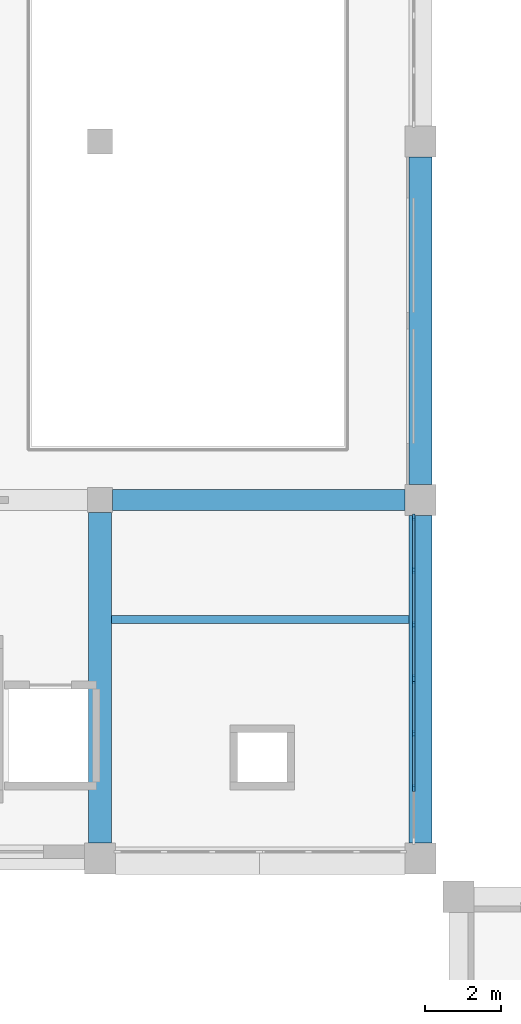
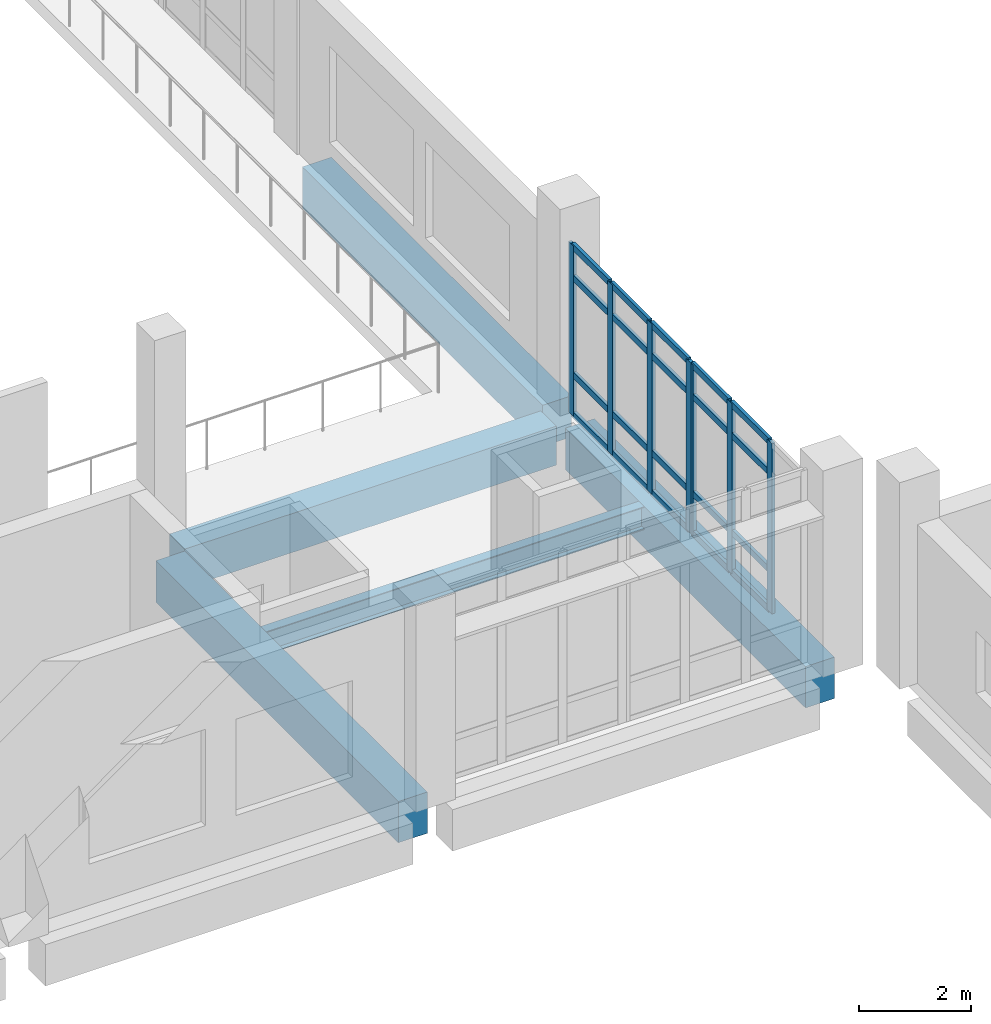
# One storey, part 15 of 54: 27 members, 5 beams, 2 elements without a shape of their own.
"""IFC4 building model written with IfcOpenShell, lengths in metres."""

from ifc_helpers import new_model, si_unit, direction, frame, origin, origin_2d, place, context, subcontext, project, spatial, rectangle, i_section, extrude, material, layer, layer_set, material_profile, profile_set, type_object, element, aggregate, save


model = new_model("IFC4")

# Units and contexts
model_context = context("Model", 3, precision=1e-05, world=origin(), true_north=direction((0.0, 1.0)))
body_context = subcontext(model_context, "Body", "Model", "MODEL_VIEW")
ifc_project = project(units=[si_unit("LENGTHUNIT", "METRE"), si_unit("AREAUNIT", "SQUARE_METRE"), si_unit("VOLUMEUNIT", "CUBIC_METRE"), si_unit("PLANEANGLEUNIT", "RADIAN"), si_unit("MASSUNIT", "GRAM", prefix="KILO")], contexts=[model_context])

# Site, building, storey
site_placement = place(None, origin())
site = spatial("IfcSite", under=ifc_project, at=site_placement, CompositionType="ELEMENT")
building_placement = place(site_placement, origin())
building = spatial("IfcBuilding", under=site, at=building_placement, Name="Kelarvand Opera House", CompositionType="ELEMENT")
storey_placement = place(building_placement, frame((0.0, 0.0, 15.0)))
storey = spatial("IfcBuildingStorey", under=building, at=storey_placement, Name="L03", CompositionType="ELEMENT", Elevation=15.0)

# Curtain wall, members
ifc_material_1 = material(Name="Thermally broken aluminium and low-E glazing", Category="aluminium")
ifc_layer = layer(ifc_material_1, 0.179931640625, Name="Thermally broken aluminium and low-E glazing", Category="aluminium")
ifc_layer_set = layer_set([ifc_layer], Name="Thermally broken aluminium and low-E glazing")
curtain_wall_type = type_object("IfcCurtainWallType", Name="Unitised Low-E Curtain Wall 4276x3717 Mod 1350 CWF-21", PredefinedType="USERDEFINED", material=ifc_layer_set)
curtain_wall_1_placement = place(storey_placement, origin())
curtain_wall_1 = element("IfcCurtainWall", 1, at=curtain_wall_1_placement, inside=storey, type_object=curtain_wall_type, Name="V3 L03 Curtain Wall CWF-21 (89)", ObjectType="UNITISED CURTAIN WALL", PredefinedType="USERDEFINED")
ifc_material_2 = material(Name="Thermally broken anodised aluminium", Category="aluminium")
ifc_material_profile_1 = material_profile(ifc_material_2, rectangle(XDim=0.06494140625, YDim=0.179931640625, at=origin_2d()), Name="ALU MULLION 65x180", Category="aluminium")
ifc_profile_set_1 = profile_set([ifc_material_profile_1], Name="Thermally broken anodised aluminium")
member_type_1 = type_object("IfcMemberType", Name="Curtain Wall Mullion 65x180 Aluminium", PredefinedType="MULLION", material=ifc_profile_set_1)
member_1_placement = place(storey_placement, frame((50.820068359375, 96.1474609375, 0.0), z_axis=(0.0, 0.0, 1.0), x_axis=(1.0, 0.0, 0.0)))
member_1 = element("IfcMember", 2, at=member_1_placement, type_object=member_type_1, Name="CWF-21 mullion 1", PredefinedType="MULLION", context=body_context, shape_type="SweptSolid", body=[
    extrude(rectangle(XDim=0.06494140625, YDim=0.179931640625, at=origin_2d()), origin(), (0.0, 0.0, 1.0), 3.71728515625),
])
member_2_placement = place(storey_placement, frame((50.820068359375, 94.754638671875, 0.0), z_axis=(0.0, 0.0, 1.0), x_axis=(1.0, 0.0, 0.0)))
member_2 = element("IfcMember", 3, at=member_2_placement, type_object=member_type_1, Name="CWF-21 mullion 2", PredefinedType="MULLION", context=body_context, shape_type="SweptSolid", body=[
    extrude(rectangle(XDim=0.06494140625, YDim=0.179931640625, at=origin_2d()), origin(), (0.0, 0.0, 1.0), 3.71728515625),
])
member_3_placement = place(storey_placement, frame((50.820068359375, 93.329345703125, 0.0), z_axis=(0.0, 0.0, 1.0), x_axis=(1.0, 0.0, 0.0)))
member_3 = element("IfcMember", 4, at=member_3_placement, type_object=member_type_1, Name="CWF-21 mullion 3", PredefinedType="MULLION", context=body_context, shape_type="SweptSolid", body=[
    extrude(rectangle(XDim=0.06494140625, YDim=0.179931640625, at=origin_2d()), origin(), (0.0, 0.0, 1.0), 3.71728515625),
])
member_4_placement = place(storey_placement, frame((50.820068359375, 91.9365234375, 0.0), z_axis=(0.0, 0.0, 1.0), x_axis=(1.0, 0.0, 0.0)))
member_4 = element("IfcMember", 5, at=member_4_placement, type_object=member_type_1, Name="CWF-21 mullion 4", PredefinedType="MULLION", context=body_context, shape_type="SweptSolid", body=[
    extrude(rectangle(XDim=0.06494140625, YDim=0.179931640625, at=origin_2d()), origin(), (0.0, 0.0, 1.0), 3.71728515625),
])

curtain_wall_2_placement = place(storey_placement, origin())
curtain_wall_2 = element("IfcCurtainWall", 6, at=curtain_wall_2_placement, inside=storey, type_object=curtain_wall_type, Name="V3 L03 Curtain Wall CWF-21 (90)", ObjectType="UNITISED CURTAIN WALL", PredefinedType="USERDEFINED")
member_5_placement = place(storey_placement, frame((50.820068359375, 91.867431640625, 0.0), z_axis=(0.0, 0.0, 1.0), x_axis=(1.0, 0.0, 0.0)))
member_5 = element("IfcMember", 7, at=member_5_placement, type_object=member_type_1, Name="CWF-21 mullion 1", PredefinedType="MULLION", context=body_context, shape_type="SweptSolid", body=[
    extrude(rectangle(XDim=0.06494140625, YDim=0.179931640625, at=origin_2d()), origin(), (0.0, 0.0, 1.0), 3.71728515625),
])
member_6_placement = place(storey_placement, frame((50.820068359375, 90.473388671875, 0.0), z_axis=(0.0, 0.0, 1.0), x_axis=(1.0, 0.0, 0.0)))
member_6 = element("IfcMember", 8, at=member_6_placement, type_object=member_type_1, Name="CWF-21 mullion 2", PredefinedType="MULLION", context=body_context, shape_type="SweptSolid", body=[
    extrude(rectangle(XDim=0.06494140625, YDim=0.179931640625, at=origin_2d()), origin(), (0.0, 0.0, 1.0), 3.71728515625),
])
member_7_placement = place(storey_placement, frame((50.820068359375, 89.046630859375, 0.0), z_axis=(0.0, 0.0, 1.0), x_axis=(1.0, 0.0, 0.0)))
member_7 = element("IfcMember", 9, at=member_7_placement, type_object=member_type_1, Name="CWF-21 mullion 3", PredefinedType="MULLION", context=body_context, shape_type="SweptSolid", body=[
    extrude(rectangle(XDim=0.06494140625, YDim=0.179931640625, at=origin_2d()), origin(), (0.0, 0.0, 1.0), 3.71728515625),
])

# Member
ifc_material_profile_2 = material_profile(ifc_material_2, rectangle(XDim=0.06494140625, YDim=0.139892578125, at=origin_2d()), Name="ALU TRANSOM 65x140", Category="aluminium")
ifc_profile_set_2 = profile_set([ifc_material_profile_2], Name="Thermally broken anodised aluminium")
member_type_2 = type_object("IfcMemberType", Name="Curtain Wall Transom 65x140 Aluminium", PredefinedType="USERDEFINED", material=ifc_profile_set_2)
member_8_placement = place(storey_placement, frame((50.820068359375, 96.114990234375, 0.032470703125), z_axis=(0.0, -1.0, 0.0), x_axis=(1.0, 0.0, 0.0)))
member_8 = element("IfcMember", 10, at=member_8_placement, type_object=member_type_2, Name="CWF-21 transom 1.1", ObjectType="TRANSOM", PredefinedType="USERDEFINED", context=body_context, shape_type="SweptSolid", body=[
    extrude(rectangle(XDim=0.06494140625, YDim=0.139892578125, at=origin_2d()), origin(), (0.0, 0.0, 1.0), 1.327880859375),
])

member_9_placement = place(storey_placement, frame((50.820068359375, 96.114990234375, 0.89990234375), z_axis=(0.0, -1.0, 0.0), x_axis=(1.0, 0.0, 0.0)))
member_9 = element("IfcMember", 11, at=member_9_placement, type_object=member_type_2, Name="CWF-21 transom 1.2", ObjectType="TRANSOM", PredefinedType="USERDEFINED", context=body_context, shape_type="SweptSolid", body=[
    extrude(rectangle(XDim=0.06494140625, YDim=0.139892578125, at=origin_2d()), origin(), (0.0, 0.0, 1.0), 1.327880859375),
])

member_10_placement = place(storey_placement, frame((50.820068359375, 96.114990234375, 3.01708984375), z_axis=(0.0, -1.0, 0.0), x_axis=(1.0, 0.0, 0.0)))
member_10 = element("IfcMember", 12, at=member_10_placement, type_object=member_type_2, Name="CWF-21 transom 1.3", ObjectType="TRANSOM", PredefinedType="USERDEFINED", context=body_context, shape_type="SweptSolid", body=[
    extrude(rectangle(XDim=0.06494140625, YDim=0.139892578125, at=origin_2d()), origin(), (0.0, 0.0, 1.0), 1.327880859375),
])

member_11_placement = place(storey_placement, frame((50.820068359375, 96.114990234375, 3.684814453125), z_axis=(0.0, -1.0, 0.0), x_axis=(1.0, 0.0, 0.0)))
member_11 = element("IfcMember", 13, at=member_11_placement, type_object=member_type_2, Name="CWF-21 transom 1.4", ObjectType="TRANSOM", PredefinedType="USERDEFINED", context=body_context, shape_type="SweptSolid", body=[
    extrude(rectangle(XDim=0.06494140625, YDim=0.139892578125, at=origin_2d()), origin(), (0.0, 0.0, 1.0), 1.327880859375),
])

member_12_placement = place(storey_placement, frame((50.820068359375, 94.72216796875, 0.032470703125), z_axis=(0.0, -1.0, 0.0), x_axis=(1.0, 0.0, 0.0)))
member_12 = element("IfcMember", 14, at=member_12_placement, type_object=member_type_2, Name="CWF-21 transom 2.1", ObjectType="TRANSOM", PredefinedType="USERDEFINED", context=body_context, shape_type="SweptSolid", body=[
    extrude(rectangle(XDim=0.06494140625, YDim=0.139892578125, at=origin_2d()), origin(), (0.0, 0.0, 1.0), 1.3603515625),
])

member_13_placement = place(storey_placement, frame((50.820068359375, 94.72216796875, 0.89990234375), z_axis=(0.0, -1.0, 0.0), x_axis=(1.0, 0.0, 0.0)))
member_13 = element("IfcMember", 15, at=member_13_placement, type_object=member_type_2, Name="CWF-21 transom 2.2", ObjectType="TRANSOM", PredefinedType="USERDEFINED", context=body_context, shape_type="SweptSolid", body=[
    extrude(rectangle(XDim=0.06494140625, YDim=0.139892578125, at=origin_2d()), origin(), (0.0, 0.0, 1.0), 1.3603515625),
])

member_14_placement = place(storey_placement, frame((50.820068359375, 94.72216796875, 3.01708984375), z_axis=(0.0, -1.0, 0.0), x_axis=(1.0, 0.0, 0.0)))
member_14 = element("IfcMember", 16, at=member_14_placement, type_object=member_type_2, Name="CWF-21 transom 2.3", ObjectType="TRANSOM", PredefinedType="USERDEFINED", context=body_context, shape_type="SweptSolid", body=[
    extrude(rectangle(XDim=0.06494140625, YDim=0.139892578125, at=origin_2d()), origin(), (0.0, 0.0, 1.0), 1.3603515625),
])

member_15_placement = place(storey_placement, frame((50.820068359375, 94.72216796875, 3.684814453125), z_axis=(0.0, -1.0, 0.0), x_axis=(1.0, 0.0, 0.0)))
member_15 = element("IfcMember", 17, at=member_15_placement, type_object=member_type_2, Name="CWF-21 transom 2.4", ObjectType="TRANSOM", PredefinedType="USERDEFINED", context=body_context, shape_type="SweptSolid", body=[
    extrude(rectangle(XDim=0.06494140625, YDim=0.139892578125, at=origin_2d()), origin(), (0.0, 0.0, 1.0), 1.3603515625),
])

member_16_placement = place(storey_placement, frame((50.820068359375, 93.296875, 0.032470703125), z_axis=(0.0, -1.0, 0.0), x_axis=(1.0, 0.0, 0.0)))
member_16 = element("IfcMember", 18, at=member_16_placement, type_object=member_type_2, Name="CWF-21 transom 3.1", ObjectType="TRANSOM", PredefinedType="USERDEFINED", context=body_context, shape_type="SweptSolid", body=[
    extrude(rectangle(XDim=0.06494140625, YDim=0.139892578125, at=origin_2d()), origin(), (0.0, 0.0, 1.0), 1.327880859375),
])

member_17_placement = place(storey_placement, frame((50.820068359375, 93.296875, 0.89990234375), z_axis=(0.0, -1.0, 0.0), x_axis=(1.0, 0.0, 0.0)))
member_17 = element("IfcMember", 19, at=member_17_placement, type_object=member_type_2, Name="CWF-21 transom 3.2", ObjectType="TRANSOM", PredefinedType="USERDEFINED", context=body_context, shape_type="SweptSolid", body=[
    extrude(rectangle(XDim=0.06494140625, YDim=0.139892578125, at=origin_2d()), origin(), (0.0, 0.0, 1.0), 1.327880859375),
])

member_18_placement = place(storey_placement, frame((50.820068359375, 93.296875, 3.01708984375), z_axis=(0.0, -1.0, 0.0), x_axis=(1.0, 0.0, 0.0)))
member_18 = element("IfcMember", 20, at=member_18_placement, type_object=member_type_2, Name="CWF-21 transom 3.3", ObjectType="TRANSOM", PredefinedType="USERDEFINED", context=body_context, shape_type="SweptSolid", body=[
    extrude(rectangle(XDim=0.06494140625, YDim=0.139892578125, at=origin_2d()), origin(), (0.0, 0.0, 1.0), 1.327880859375),
])

member_19_placement = place(storey_placement, frame((50.820068359375, 93.296875, 3.684814453125), z_axis=(0.0, -1.0, 0.0), x_axis=(1.0, 0.0, 0.0)))
member_19 = element("IfcMember", 21, at=member_19_placement, type_object=member_type_2, Name="CWF-21 transom 3.4", ObjectType="TRANSOM", PredefinedType="USERDEFINED", context=body_context, shape_type="SweptSolid", body=[
    extrude(rectangle(XDim=0.06494140625, YDim=0.139892578125, at=origin_2d()), origin(), (0.0, 0.0, 1.0), 1.327880859375),
])

aggregate(curtain_wall_1, [member_1, member_2, member_3, member_4, member_8, member_9, member_10, member_11, member_12, member_13, member_14, member_15, member_16, member_17, member_18, member_19])

member_20_placement = place(storey_placement, frame((50.820068359375, 91.8349609375, 0.032470703125), z_axis=(0.0, -1.0, 0.0), x_axis=(1.0, 0.0, 0.0)))
member_20 = element("IfcMember", 22, at=member_20_placement, type_object=member_type_2, Name="CWF-21 transom 1.1", ObjectType="TRANSOM", PredefinedType="USERDEFINED", context=body_context, shape_type="SweptSolid", body=[
    extrude(rectangle(XDim=0.06494140625, YDim=0.139892578125, at=origin_2d()), origin(), (0.0, 0.0, 1.0), 1.3291015625),
])

member_21_placement = place(storey_placement, frame((50.820068359375, 91.8349609375, 0.89990234375), z_axis=(0.0, -1.0, 0.0), x_axis=(1.0, 0.0, 0.0)))
member_21 = element("IfcMember", 23, at=member_21_placement, type_object=member_type_2, Name="CWF-21 transom 1.2", ObjectType="TRANSOM", PredefinedType="USERDEFINED", context=body_context, shape_type="SweptSolid", body=[
    extrude(rectangle(XDim=0.06494140625, YDim=0.139892578125, at=origin_2d()), origin(), (0.0, 0.0, 1.0), 1.3291015625),
])

member_22_placement = place(storey_placement, frame((50.820068359375, 91.8349609375, 3.01708984375), z_axis=(0.0, -1.0, 0.0), x_axis=(1.0, 0.0, 0.0)))
member_22 = element("IfcMember", 24, at=member_22_placement, type_object=member_type_2, Name="CWF-21 transom 1.3", ObjectType="TRANSOM", PredefinedType="USERDEFINED", context=body_context, shape_type="SweptSolid", body=[
    extrude(rectangle(XDim=0.06494140625, YDim=0.139892578125, at=origin_2d()), origin(), (0.0, 0.0, 1.0), 1.3291015625),
])

member_23_placement = place(storey_placement, frame((50.820068359375, 91.8349609375, 3.684814453125), z_axis=(0.0, -1.0, 0.0), x_axis=(1.0, 0.0, 0.0)))
member_23 = element("IfcMember", 25, at=member_23_placement, type_object=member_type_2, Name="CWF-21 transom 1.4", ObjectType="TRANSOM", PredefinedType="USERDEFINED", context=body_context, shape_type="SweptSolid", body=[
    extrude(rectangle(XDim=0.06494140625, YDim=0.139892578125, at=origin_2d()), origin(), (0.0, 0.0, 1.0), 1.3291015625),
])

member_24_placement = place(storey_placement, frame((50.820068359375, 90.44091796875, 0.032470703125), z_axis=(0.0, -1.0, 0.0), x_axis=(1.0, 0.0, 0.0)))
member_24 = element("IfcMember", 26, at=member_24_placement, type_object=member_type_2, Name="CWF-21 transom 2.1", ObjectType="TRANSOM", PredefinedType="USERDEFINED", context=body_context, shape_type="SweptSolid", body=[
    extrude(rectangle(XDim=0.06494140625, YDim=0.139892578125, at=origin_2d()), origin(), (0.0, 0.0, 1.0), 1.36181640625),
])

member_25_placement = place(storey_placement, frame((50.820068359375, 90.44091796875, 0.89990234375), z_axis=(0.0, -1.0, 0.0), x_axis=(1.0, 0.0, 0.0)))
member_25 = element("IfcMember", 27, at=member_25_placement, type_object=member_type_2, Name="CWF-21 transom 2.2", ObjectType="TRANSOM", PredefinedType="USERDEFINED", context=body_context, shape_type="SweptSolid", body=[
    extrude(rectangle(XDim=0.06494140625, YDim=0.139892578125, at=origin_2d()), origin(), (0.0, 0.0, 1.0), 1.36181640625),
])

member_26_placement = place(storey_placement, frame((50.820068359375, 90.44091796875, 3.01708984375), z_axis=(0.0, -1.0, 0.0), x_axis=(1.0, 0.0, 0.0)))
member_26 = element("IfcMember", 28, at=member_26_placement, type_object=member_type_2, Name="CWF-21 transom 2.3", ObjectType="TRANSOM", PredefinedType="USERDEFINED", context=body_context, shape_type="SweptSolid", body=[
    extrude(rectangle(XDim=0.06494140625, YDim=0.139892578125, at=origin_2d()), origin(), (0.0, 0.0, 1.0), 1.36181640625),
])

member_27_placement = place(storey_placement, frame((50.820068359375, 90.44091796875, 3.684814453125), z_axis=(0.0, -1.0, 0.0), x_axis=(1.0, 0.0, 0.0)))
member_27 = element("IfcMember", 29, at=member_27_placement, type_object=member_type_2, Name="CWF-21 transom 2.4", ObjectType="TRANSOM", PredefinedType="USERDEFINED", context=body_context, shape_type="SweptSolid", body=[
    extrude(rectangle(XDim=0.06494140625, YDim=0.139892578125, at=origin_2d()), origin(), (0.0, 0.0, 1.0), 1.36181640625),
])

aggregate(curtain_wall_2, [member_5, member_6, member_7, member_20, member_21, member_22, member_23, member_24, member_25, member_26, member_27])

# Beams
ifc_material_3 = material(Name="Concrete C40/50", Category="concrete")
ifc_material_profile_3 = material_profile(ifc_material_3, rectangle(XDim=0.550048828125, YDim=0.85009765625, at=origin_2d()), Name="RC 550x850", Category="concrete")
ifc_profile_set_3 = profile_set([ifc_material_profile_3], Name="Concrete C40/50")
beam_type_1 = type_object("IfcBeamType", Name="Structural Beam RC 550x850 BM-RC550x850", PredefinedType="BEAM", material=ifc_profile_set_3)
beam_1_placement = place(storey_placement, frame((42.925048828125, 96.60009765625, -0.72509765625), z_axis=(1.0, 0.0, 0.0), x_axis=(0.0, 1.0, 0.0)))
element("IfcBeam", 30, at=beam_1_placement, inside=storey, type_object=beam_type_1, Name="V3 L03 Beam BM-RC550x850", PredefinedType="BEAM", context=body_context, shape_type="SweptSolid", body=[
    extrude(rectangle(XDim=0.550048828125, YDim=0.85009765625, at=origin_2d()), origin(), (0.0, 0.0, 1.0), 7.6650390625),
])
ifc_material_profile_4 = material_profile(ifc_material_3, rectangle(XDim=0.60009765625, YDim=0.89990234375, at=origin_2d()), Name="RC 600x900", Category="concrete")
ifc_profile_set_4 = profile_set([ifc_material_profile_4], Name="Concrete C40/50")
beam_type_2 = type_object("IfcBeamType", Name="Structural Beam RC 600x900 BM-RC600x900", PredefinedType="BEAM", material=ifc_profile_set_4)
beam_2_placement = place(storey_placement, frame((42.60009765625, 87.610107421875, -0.75), z_axis=(0.0, 1.0, 0.0), x_axis=(-1.0, 0.0, 0.0)))
element("IfcBeam", 31, at=beam_2_placement, inside=storey, type_object=beam_type_2, Name="V3 L03 Beam BM-RC600x900", PredefinedType="BEAM", context=body_context, shape_type="SweptSolid", body=[
    extrude(rectangle(XDim=0.60009765625, YDim=0.89990234375, at=origin_2d()), origin(), (0.0, 0.0, 1.0), 8.664794921875),
])
ifc_material_4 = material(Name="Steel S355", Category="steel")
ifc_material_profile_5 = material_profile(ifc_material_4, i_section(OverallWidth=0.199951171875, OverallDepth=0.5, WebThickness=0.01025390625, FlangeThickness=0.01611328125, at=origin_2d()), Name="IPE 500", Category="steel")
ifc_profile_set_5 = profile_set([ifc_material_profile_5], Name="Steel S355")
beam_type_3 = type_object("IfcBeamType", Name="Structural Joist IPE 500 JS-IPE500", PredefinedType="JOIST", material=ifc_profile_set_5)
beam_3_placement = place(storey_placement, frame((42.89990234375, 93.466796875, -0.550048828125), z_axis=(1.0, 0.0, 0.0), x_axis=(0.0, 1.0, 0.0)))
element("IfcBeam", 32, at=beam_3_placement, inside=storey, type_object=beam_type_3, Name="V3 L03 Beam JS-IPE500", PredefinedType="JOIST", context=body_context, shape_type="SweptSolid", body=[
    extrude(i_section(OverallWidth=0.199951171875, OverallDepth=0.5, WebThickness=0.01025390625, FlangeThickness=0.01611328125, at=origin_2d()), origin(), (0.0, 0.0, 1.0), 7.800048828125),
])
ifc_material_profile_6 = material_profile(ifc_material_3, rectangle(XDim=0.60009765625, YDim=0.89990234375, at=origin_2d()), Name="RC 600x900", Category="concrete")
ifc_profile_set_6 = profile_set([ifc_material_profile_6], Name="Concrete C40/50")
beam_type_4 = type_object("IfcBeamType", Name="Structural Spandrel RC 600x900 SP-RC600x900E", PredefinedType="SPANDREL", material=ifc_profile_set_6)
beam_4_placement = place(storey_placement, frame((51.0, 87.610107421875, -0.75), z_axis=(0.0, 1.0, 0.0), x_axis=(-1.0, 0.0, 0.0)))
element("IfcBeam", 33, at=beam_4_placement, inside=storey, type_object=beam_type_4, Name="V3 L03 Beam SP-RC600x900E", PredefinedType="SPANDREL", context=body_context, shape_type="SweptSolid", body=[
    extrude(rectangle(XDim=0.60009765625, YDim=0.89990234375, at=origin_2d()), origin(), (0.0, 0.0, 1.0), 8.579833984375),
])
beam_5_placement = place(storey_placement, frame((51.0, 97.010009765625, -0.75), z_axis=(0.0, 1.0, 0.0), x_axis=(-1.0, 0.0, 0.0)))
element("IfcBeam", 34, at=beam_5_placement, inside=storey, type_object=beam_type_4, Name="V3 L03 Beam SP-RC600x900E", PredefinedType="SPANDREL", context=body_context, shape_type="SweptSolid", body=[
    extrude(rectangle(XDim=0.60009765625, YDim=0.89990234375, at=origin_2d()), origin(), (0.0, 0.0, 1.0), 8.580078125),
])

save(model, "model.ifc")
